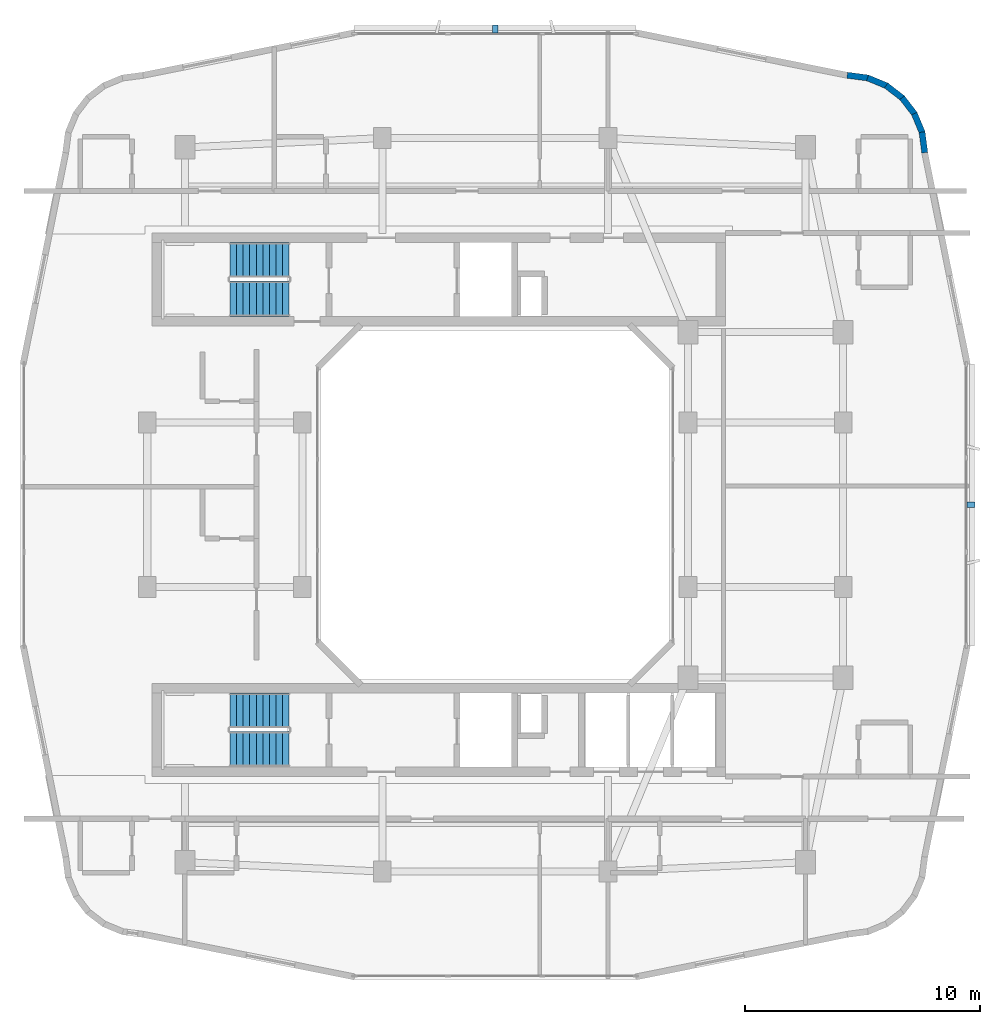
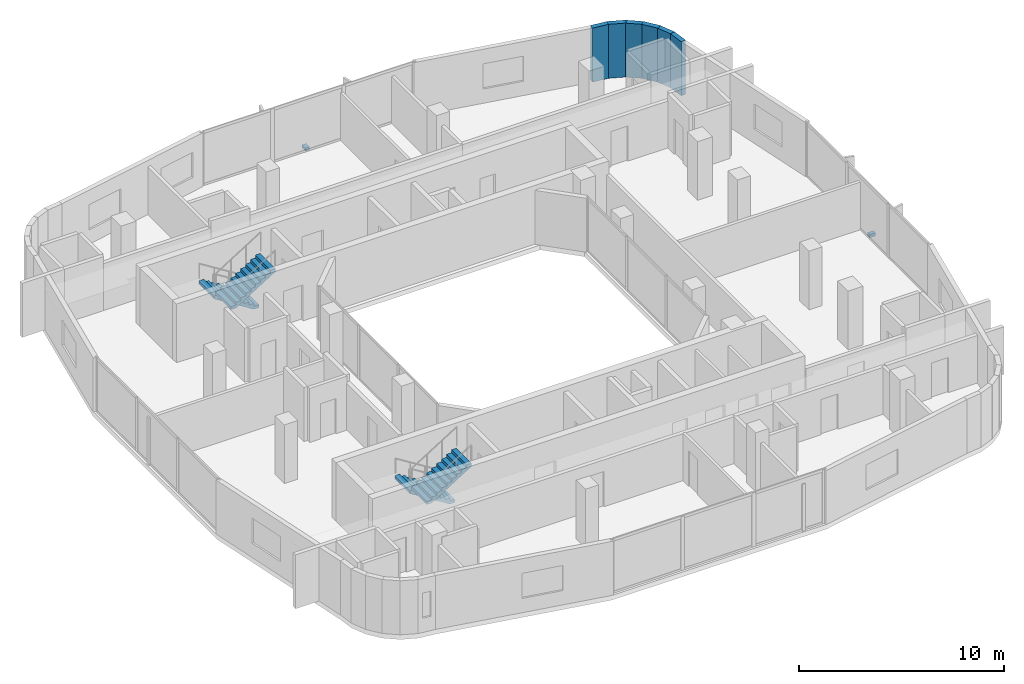
# One storey, part 10 of 14: 6 walls, 4 stair flights, 2 discrete accessories, 2 elements without a shape of their own.
"""IFC4 building model written with IfcOpenShell, lengths in metres."""

from ifc_helpers import new_model, si_unit, derived_unit, direction, frame, frame_2d, origin, origin_2d, place, context, subcontext, project, spatial, polyline, rectangle, outline, extrude, material, layer, layer_set, type_object, element, aggregate, save


model = new_model("IFC4")

# Units and contexts
model_context = context("Model", 3, precision=1e-05, world=origin(), true_north=direction((0.0, 1.0)))
body_context = subcontext(model_context, "Body", "Model", "MODEL_VIEW")
ifc_project = project(units=[si_unit("LENGTHUNIT", "METRE"), si_unit("AREAUNIT", "SQUARE_METRE"), si_unit("VOLUMEUNIT", "CUBIC_METRE"), si_unit("PLANEANGLEUNIT", "RADIAN"), si_unit("MASSUNIT", "GRAM", prefix="KILO"), derived_unit("THERMALTRANSMITTANCEUNIT", [(si_unit("POWERUNIT", "WATT"), 1), (si_unit("LENGTHUNIT", "METRE"), -2), (si_unit("THERMODYNAMICTEMPERATUREUNIT", "KELVIN"), -1)])], contexts=[model_context])

# Site, building, storey
site_placement = place(None, origin())
site = spatial("IfcSite", under=ifc_project, at=site_placement, CompositionType="ELEMENT")
building_placement = place(site_placement, origin())
building = spatial("IfcBuilding", under=site, at=building_placement, Name="Kivonza Crest Hotel", CompositionType="ELEMENT")
storey_placement = place(building_placement, frame((0.0, 0.0, 141.5)))
storey = spatial("IfcBuildingStorey", under=building, at=storey_placement, Name="L38", CompositionType="ELEMENT", Elevation=141.5)

# Walls
ifc_material_1 = material(Name="Precast concrete C40/50", Category="concrete")
ifc_layer = layer(ifc_material_1, 0.260009765625)
ifc_layer_set = layer_set([ifc_layer], Name="Precast concrete C40/50")
wall_type = type_object("IfcWallType", Name="WL-EXT-260", PredefinedType="STANDARD", material=ifc_layer_set)
wall_1_placement = place(storey_placement, frame((39.27197265625, 39.97509765625, 0.0), z_axis=(0.0, 0.0, 1.0), x_axis=(-0.130953706898, 0.991388484223, 0.0)))
element("IfcWall", 1, at=wall_1_placement, inside=storey, type_object=wall_type, Name="L38 T1 exterior insulated wall 19", PredefinedType="STANDARD", context=body_context, shape_type="SweptSolid", body=[
    extrude(rectangle(XDim=0.885498046875, YDim=0.260009765625, at=frame_2d((0.44287109375, 0.0))), origin(), (0.0, 0.0, 1.0), 3.219970703125),
])
wall_2_placement = place(storey_placement, frame((39.174072265625, 40.806884765625, 0.0), z_axis=(0.0, 0.0, 1.0), x_axis=(-0.383290660547, 0.923627776508, 0.0)))
element("IfcWall", 2, at=wall_2_placement, inside=storey, type_object=wall_type, Name="L38 T1 exterior insulated wall 20", PredefinedType="STANDARD", context=body_context, shape_type="SweptSolid", body=[
    extrude(rectangle(XDim=0.9033203125, YDim=0.260009765625, at=frame_2d((0.45166015625, 0.0))), origin(), (0.0, 0.0, 1.0), 3.219970703125),
])
wall_3_placement = place(storey_placement, frame((38.85595703125, 41.60107421875, 0.0), z_axis=(0.0, 0.0, 1.0), x_axis=(-0.608624690463, 0.793458244748, 0.0)))
element("IfcWall", 3, at=wall_3_placement, inside=storey, type_object=wall_type, Name="L38 T1 exterior insulated wall 21", PredefinedType="STANDARD", context=body_context, shape_type="SweptSolid", body=[
    extrude(rectangle(XDim=0.902099609375, YDim=0.260009765625, at=frame_2d((0.451171875, 0.0))), origin(), (0.0, 0.0, 1.0), 3.219970703125),
])
wall_4_placement = place(storey_placement, frame((38.344970703125, 42.285888671875, 0.0), z_axis=(0.0, 0.0, 1.0), x_axis=(-0.793558456666, 0.608494022858, 0.0)))
element("IfcWall", 4, at=wall_4_placement, inside=storey, type_object=wall_type, Name="L38 T1 exterior insulated wall 22", PredefinedType="STANDARD", context=body_context, shape_type="SweptSolid", body=[
    extrude(rectangle(XDim=0.90234375, YDim=0.260009765625, at=frame_2d((0.451171875, 0.0))), origin(), (0.0, 0.0, 1.0), 3.219970703125),
])
wall_5_placement = place(storey_placement, frame((37.673095703125, 42.81396484375, 0.0), z_axis=(0.0, 0.0, 1.0), x_axis=(-0.923683767999, 0.383155708213, 0.0)))
element("IfcWall", 5, at=wall_5_placement, inside=storey, type_object=wall_type, Name="L38 T1 exterior insulated wall 23", PredefinedType="STANDARD", context=body_context, shape_type="SweptSolid", body=[
    extrude(rectangle(XDim=0.90283203125, YDim=0.260009765625, at=frame_2d((0.451416015625, 0.0))), origin(), (0.0, 0.0, 1.0), 3.219970703125),
])
wall_6_placement = place(storey_placement, frame((36.887939453125, 43.152099609375, 0.0), z_axis=(0.0, 0.0, 1.0), x_axis=(-0.991487658083, 0.130200706103, 0.0)))
element("IfcWall", 6, at=wall_6_placement, inside=storey, type_object=wall_type, Name="L38 T1 exterior insulated wall 24", PredefinedType="STANDARD", context=body_context, shape_type="SweptSolid", body=[
    extrude(rectangle(XDim=0.920654296875, YDim=0.260009765625, at=frame_2d((0.46044921875, 0.0))), origin(), (0.0, 0.0, 1.0), 3.219970703125),
])

# Stair, stair flights
ifc_material_2 = material(Name="Concrete C40/50", Category="concrete")
stair_type = type_object("IfcStairType", Name="ST-DL-20R", PredefinedType="HALF_TURN_STAIR", material=ifc_material_2)
stair_1_placement = place(storey_placement, origin())
stair_1 = element("IfcStair", 7, at=stair_1_placement, inside=storey, type_object=stair_type, Name="L38 Protected Exit Stair ST-T1-N", PredefinedType="HALF_TURN_STAIR")
stair_flight_type = type_object("IfcStairFlightType", Name="SFL-RC-10R", PredefinedType="STRAIGHT", material=ifc_material_2)
stair_flight_1_placement = place(storey_placement, frame((12.239990234375, 35.409912109375, 0.0), z_axis=(0.0, 0.0, 1.0), x_axis=(-1.0, 0.0, 0.0)))
stair_flight_1 = element("IfcStairFlight", 8, at=stair_flight_1_placement, type_object=stair_flight_type, Name="ST-T1-N flight 1", NumberOfRisers=10, NumberOfTreads=9, PredefinedType="STRAIGHT", RiserHeight=0.175, TreadLength=0.28, context=body_context, shape_type="SweptSolid", body=[
    extrude(outline(polyline([(0.0, 0.0), (0.0, 0.175048828125), (0.280029296875, 0.175048828125), (0.280029296875, 0.35009765625), (0.56005859375, 0.35009765625), (0.56005859375, 0.52490234375), (0.840087890625, 0.52490234375), (0.840087890625, 0.699951171875), (1.1201171875, 0.699951171875), (1.1201171875, 0.875), (1.39990234375, 0.875), (1.39990234375, 1.050048828125), (1.679931640625, 1.050048828125), (1.679931640625, 1.22509765625), (1.9599609375, 1.22509765625), (1.9599609375, 1.39990234375), (2.239990234375, 1.39990234375), (2.239990234375, 1.574951171875), (2.52001953125, 1.574951171875), (2.52001953125, 1.75), (2.52001953125, 1.398193359375), (0.28271484375, 0.0), (0.0, 0.0)])), frame((0.0, 0.75, 0.0), z_axis=(0.0, -1.0, 0.0), x_axis=(1.0, 0.0, 0.0)), (0.0, 0.0, 1.0), 1.5),
])
stair_flight_2_placement = place(storey_placement, frame((9.719970703125, 33.77001953125, 1.75), z_axis=(0.0, 0.0, 1.0), x_axis=(1.0, 0.0, 0.0)))
stair_flight_2 = element("IfcStairFlight", 9, at=stair_flight_2_placement, type_object=stair_flight_type, Name="ST-T1-N flight 2", NumberOfRisers=10, NumberOfTreads=9, PredefinedType="STRAIGHT", RiserHeight=0.175, TreadLength=0.28, context=body_context, shape_type="SweptSolid", body=[
    extrude(outline(polyline([(0.0, 0.0), (0.0, 0.175048828125), (0.280029296875, 0.175048828125), (0.280029296875, 0.35009765625), (0.56005859375, 0.35009765625), (0.56005859375, 0.52490234375), (0.840087890625, 0.52490234375), (0.840087890625, 0.699951171875), (1.1201171875, 0.699951171875), (1.1201171875, 0.875), (1.39990234375, 0.875), (1.39990234375, 1.050048828125), (1.679931640625, 1.050048828125), (1.679931640625, 1.22509765625), (1.9599609375, 1.22509765625), (1.9599609375, 1.39990234375), (2.239990234375, 1.39990234375), (2.239990234375, 1.574951171875), (2.52001953125, 1.574951171875), (2.52001953125, 1.75), (2.52001953125, 1.398193359375), (0.28271484375, 0.0), (0.0, 0.0)])), frame((0.0, 0.75, 0.0), z_axis=(0.0, -1.0, 0.0), x_axis=(1.0, 0.0, 0.0)), (0.0, 0.0, 1.0), 1.5),
])
aggregate(stair_1, [stair_flight_1, stair_flight_2])

stair_2_placement = place(storey_placement, origin())
stair_2 = element("IfcStair", 10, at=stair_2_placement, inside=storey, type_object=stair_type, Name="L38 Protected Exit Stair ST-T1-S", PredefinedType="HALF_TURN_STAIR")
stair_flight_3_placement = place(storey_placement, frame((12.239990234375, 16.25, 0.0), z_axis=(0.0, 0.0, 1.0), x_axis=(-1.0, 0.0, 0.0)))
stair_flight_3 = element("IfcStairFlight", 11, at=stair_flight_3_placement, type_object=stair_flight_type, Name="ST-T1-S flight 1", NumberOfRisers=10, NumberOfTreads=9, PredefinedType="STRAIGHT", RiserHeight=0.175, TreadLength=0.28, context=body_context, shape_type="SweptSolid", body=[
    extrude(outline(polyline([(0.0, 0.0), (0.0, 0.175048828125), (0.280029296875, 0.175048828125), (0.280029296875, 0.35009765625), (0.56005859375, 0.35009765625), (0.56005859375, 0.52490234375), (0.840087890625, 0.52490234375), (0.840087890625, 0.699951171875), (1.1201171875, 0.699951171875), (1.1201171875, 0.875), (1.39990234375, 0.875), (1.39990234375, 1.050048828125), (1.679931640625, 1.050048828125), (1.679931640625, 1.22509765625), (1.9599609375, 1.22509765625), (1.9599609375, 1.39990234375), (2.239990234375, 1.39990234375), (2.239990234375, 1.574951171875), (2.52001953125, 1.574951171875), (2.52001953125, 1.75), (2.52001953125, 1.398193359375), (0.28271484375, 0.0), (0.0, 0.0)])), frame((0.0, 0.75, 0.0), z_axis=(0.0, -1.0, 0.0), x_axis=(1.0, 0.0, 0.0)), (0.0, 0.0, 1.0), 1.5),
])
stair_flight_4_placement = place(storey_placement, frame((9.719970703125, 14.610107421875, 1.75), z_axis=(0.0, 0.0, 1.0), x_axis=(1.0, 0.0, 0.0)))
stair_flight_4 = element("IfcStairFlight", 12, at=stair_flight_4_placement, type_object=stair_flight_type, Name="ST-T1-S flight 2", NumberOfRisers=10, NumberOfTreads=9, PredefinedType="STRAIGHT", RiserHeight=0.175, TreadLength=0.28, context=body_context, shape_type="SweptSolid", body=[
    extrude(outline(polyline([(0.0, 0.0), (0.0, 0.175048828125), (0.280029296875, 0.175048828125), (0.280029296875, 0.35009765625), (0.56005859375, 0.35009765625), (0.56005859375, 0.52490234375), (0.840087890625, 0.52490234375), (0.840087890625, 0.699951171875), (1.1201171875, 0.699951171875), (1.1201171875, 0.875), (1.39990234375, 0.875), (1.39990234375, 1.050048828125), (1.679931640625, 1.050048828125), (1.679931640625, 1.22509765625), (1.9599609375, 1.22509765625), (1.9599609375, 1.39990234375), (2.239990234375, 1.39990234375), (2.239990234375, 1.574951171875), (2.52001953125, 1.574951171875), (2.52001953125, 1.75), (2.52001953125, 1.398193359375), (0.28271484375, 0.0), (0.0, 0.0)])), frame((0.0, 0.75, 0.0), z_axis=(0.0, -1.0, 0.0), x_axis=(1.0, 0.0, 0.0)), (0.0, 0.0, 1.0), 1.5),
])
aggregate(stair_2, [stair_flight_3, stair_flight_4])

# Discrete accessories
ifc_material_3 = material(Name="Stainless steel 316", Category="steel")
discrete_accessory_type = type_object("IfcDiscreteAccessoryType", Name="AC-BRACKET-240", PredefinedType="BRACKET", material=ifc_material_3)
for number, where, z_axis, x_axis, name in (
    (13, (41.239990234375, 25.0, -0.009765625), (0.0, 0.0, 1.0), (0.0, 1.0, 0.0), "L38 terracotta baguette support bracket CW-T1-L38-17"),
    (14, (21.0, 45.239990234375, -0.009765625), (0.0, 0.0, 1.0), (-1.0, 0.0, 0.0), "L38 terracotta baguette support bracket CW-T1-L38-26"),
):
    element("IfcDiscreteAccessory", number, at=place(storey_placement, frame(where, z_axis=z_axis, x_axis=x_axis)), inside=storey, type_object=discrete_accessory_type, Name=name, PredefinedType="BRACKET", context=body_context, shape_type="SweptSolid", body=[
        extrude(rectangle(XDim=0.219970703125, YDim=0.340087890625, at=origin_2d()), origin(), (0.0, 0.0, 1.0), 0.179931640625),
    ])

save(model, "model.ifc")
